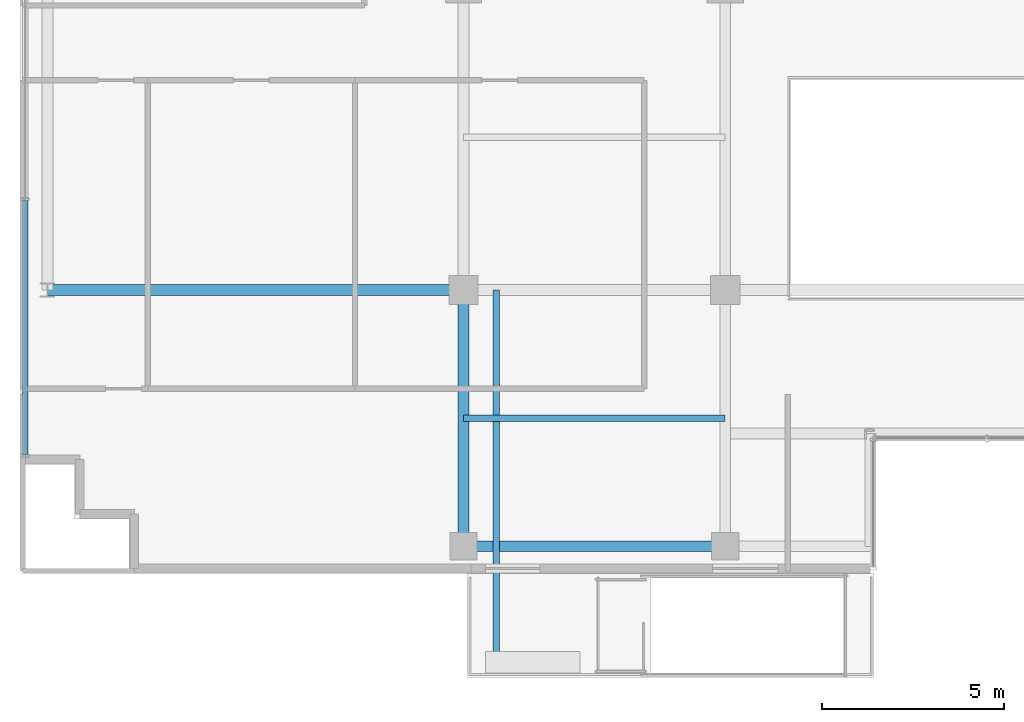
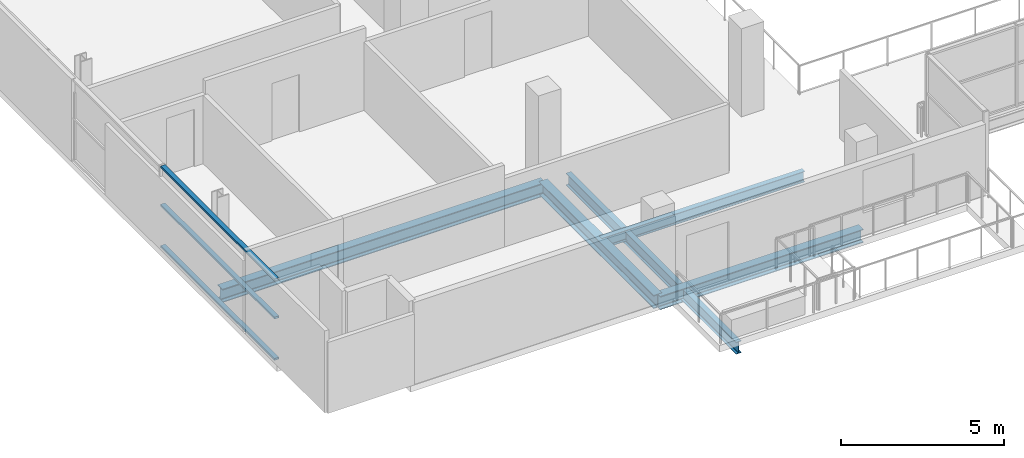
# One storey, part 3 of 23: 5 beams, 3 members, 1 element without a shape of its own.
"""IFC4 building model written with IfcOpenShell, lengths in metres."""

from ifc_helpers import new_model, si_unit, direction, frame, origin, origin_2d, place, context, subcontext, project, spatial, hollow_rectangle, i_section, extrude, source, transform, mapped, material, layer, layer_set, material_profile, profile_set, type_object, element, aggregate, save


model = new_model("IFC4")

# Units and contexts
model_context = context("Model", 3, precision=1e-05, world=origin(), true_north=direction((0.0, 1.0)))
body_context = subcontext(model_context, "Body", "Model", "MODEL_VIEW")
ifc_project = project(units=[si_unit("LENGTHUNIT", "METRE"), si_unit("AREAUNIT", "SQUARE_METRE"), si_unit("VOLUMEUNIT", "CUBIC_METRE"), si_unit("PLANEANGLEUNIT", "RADIAN"), si_unit("MASSUNIT", "GRAM", prefix="KILO")], contexts=[model_context])

# Site, building, storey
site_placement = place(None, origin())
site = spatial("IfcSite", under=ifc_project, at=site_placement, CompositionType="ELEMENT")
building_placement = place(site_placement, origin())
building = spatial("IfcBuilding", under=site, at=building_placement, Name="Zarnakvel Exchange Tower", CompositionType="ELEMENT")
storey_placement = place(building_placement, frame((0.0, 0.0, 149.5)))
storey = spatial("IfcBuildingStorey", under=building, at=storey_placement, Name="L41", CompositionType="ELEMENT", Elevation=149.5)

# Beams
ifc_material_1 = material(Name="Steel S355", Category="steel")
ifc_material_profile_1 = material_profile(ifc_material_1, i_section(OverallWidth=0.18994140625, OverallDepth=0.449951171875, WebThickness=0.009521484375, FlangeThickness=0.0146484375, FilletRadius=0.02099609375, at=origin_2d()))
ifc_profile_set_1 = profile_set([ifc_material_profile_1], Name="Steel S355")
beam_type_1 = type_object("IfcBeamType", Name="B-05", PredefinedType="JOIST", material=ifc_profile_set_1)
beam_1_placement = place(storey_placement, frame((-13.5, -9.60009765625, -0.47509765625), z_axis=(0.0, -1.0, 0.0), x_axis=(1.0, 0.0, 0.0)))
element("IfcBeam", 1, at=beam_1_placement, inside=storey, type_object=beam_type_1, Name="L41 Continuous Spiral Terrace Beam W", PredefinedType="JOIST", context=body_context, shape_type="SweptSolid", body=[
    extrude(i_section(OverallWidth=0.18994140625, OverallDepth=0.449951171875, WebThickness=0.009521484375, FlangeThickness=0.0146484375, FilletRadius=0.02099609375, at=origin_2d()), origin(), (0.0, 0.0, 1.0), 10.4599609375),
])
ifc_material_profile_2 = material_profile(ifc_material_1, i_section(OverallWidth=0.179931640625, OverallDepth=0.39990234375, WebThickness=0.008544921875, FlangeThickness=0.013427734375, FilletRadius=0.02099609375, at=origin_2d()))
ifc_profile_set_2 = profile_set([ifc_material_profile_2], Name="Steel S355")
beam_type_2 = type_object("IfcBeamType", Name="B-06", PredefinedType="JOIST", material=ifc_profile_set_2)
beam_2_placement = place(storey_placement, frame((-14.39990234375, -13.125, -0.425048828125), z_axis=(1.0, 0.0, 0.0), x_axis=(0.0, 1.0, 0.0)))
element("IfcBeam", 2, at=beam_2_placement, inside=storey, type_object=beam_type_2, Name="L41 Composite Floor Secondary Joist", PredefinedType="JOIST", context=body_context, shape_type="SweptSolid", body=[
    extrude(i_section(OverallWidth=0.179931640625, OverallDepth=0.39990234375, WebThickness=0.008544921875, FlangeThickness=0.013427734375, FilletRadius=0.02099609375, at=origin_2d()), origin(), (0.0, 0.0, 1.0), 7.199951171875),
])
ifc_material_profile_3 = material_profile(ifc_material_1, i_section(OverallWidth=0.300048828125, OverallDepth=0.5, WebThickness=0.014404296875, FlangeThickness=0.028076171875, FilletRadius=0.027099609375, at=origin_2d()))
ifc_profile_set_3 = profile_set([ifc_material_profile_3], Name="Steel S355")
beam_type_3 = type_object("IfcBeamType", Name="G-06", PredefinedType="BEAM", material=ifc_profile_set_3)
beam_3_placement = place(storey_placement, frame((-25.85009765625, -9.60009765625, -0.47509765625), z_axis=(1.0, 0.0, 0.0), x_axis=(0.0, 1.0, 0.0)))
element("IfcBeam", 3, at=beam_3_placement, inside=storey, type_object=beam_type_3, Name="L41 Tower E-W Frame Beam", PredefinedType="BEAM", context=body_context, shape_type="SweptSolid", body=[
    extrude(i_section(OverallWidth=0.300048828125, OverallDepth=0.5, WebThickness=0.014404296875, FlangeThickness=0.028076171875, FilletRadius=0.027099609375, at=origin_2d()), origin(), (0.0, 0.0, 1.0), 11.4501953125),
])
beam_4_placement = place(storey_placement, frame((-14.39990234375, -16.64990234375, -0.47509765625), z_axis=(0.0, 1.0, 0.0), x_axis=(-1.0, 0.0, 0.0)))
element("IfcBeam", 4, at=beam_4_placement, inside=storey, type_object=beam_type_3, Name="L41 Tower N-S Frame Beam", PredefinedType="BEAM", context=body_context, shape_type="SweptSolid", body=[
    extrude(i_section(OverallWidth=0.300048828125, OverallDepth=0.5, WebThickness=0.014404296875, FlangeThickness=0.028076171875, FilletRadius=0.027099609375, at=origin_2d()), origin(), (0.0, 0.0, 1.0), 7.0498046875),
])
ifc_material_profile_4 = material_profile(ifc_material_1, i_section(OverallWidth=0.300048828125, OverallDepth=0.5, WebThickness=0.014404296875, FlangeThickness=0.028076171875, FilletRadius=0.027099609375, at=origin_2d()))
ifc_profile_set_4 = profile_set([ifc_material_profile_4], Name="Steel S355")
beam_type_4 = type_object("IfcBeamType", Name="SP-02", PredefinedType="SPANDREL", material=ifc_profile_set_4)
beam_5_placement = place(storey_placement, frame((-14.39990234375, -16.64990234375, -0.47509765625), z_axis=(1.0, 0.0, 0.0), x_axis=(0.0, 1.0, 0.0)))
element("IfcBeam", 5, at=beam_5_placement, inside=storey, type_object=beam_type_4, Name="L41 Tower E-W Frame Beam", PredefinedType="SPANDREL", context=body_context, shape_type="SweptSolid", body=[
    extrude(i_section(OverallWidth=0.300048828125, OverallDepth=0.5, WebThickness=0.014404296875, FlangeThickness=0.028076171875, FilletRadius=0.027099609375, at=origin_2d()), origin(), (0.0, 0.0, 1.0), 7.199951171875),
])

# Curtain wall, members
ifc_material_2 = material(Name="Architectural Bronze Anodised Aluminium", Category="aluminium")
ifc_layer = layer(ifc_material_2, 0.199951171875)
ifc_layer_set = layer_set([ifc_layer], Name="Architectural Bronze Anodised Aluminium")
curtain_wall_type = type_object("IfcCurtainWallType", Name="CW-04", PredefinedType="NOTDEFINED", material=ifc_layer_set)
curtain_wall_placement = place(storey_placement, origin())
curtain_wall = element("IfcCurtainWall", 6, at=curtain_wall_placement, inside=storey, type_object=curtain_wall_type, Name="L41 Curtain Wall CW-L41-W1 (CW-04)", PredefinedType="NOTDEFINED")
ifc_material_profile_5 = material_profile(ifc_material_2, hollow_rectangle(XDim=0.159912109375, YDim=0.074951171875, WallThickness=0.00390625, at=origin_2d()))
ifc_profile_set_5 = profile_set([ifc_material_profile_5], Name="Architectural Bronze Anodised Aluminium")
member_type = type_object("IfcMemberType", Name="CWT-04", PredefinedType="USERDEFINED", material=ifc_profile_set_5)
shared_shape = source(origin(), body_context, "Body", "SweptSolid", [
    extrude(hollow_rectangle(XDim=0.159912109375, YDim=0.074951171875, WallThickness=0.00390625, at=origin_2d()), origin(), (0.0, 0.0, 1.0), 6.987548828125),
])
member_1_placement = place(storey_placement, frame((-26.4599609375, -14.125, 0.03759765625), z_axis=(0.0, 1.0, 0.0), x_axis=(-1.0, 0.0, 0.0)))
member_1 = element("IfcMember", 7, at=member_1_placement, type_object=member_type, Name="CW-04 transom 1.1", ObjectType="TRANSOM", PredefinedType="USERDEFINED", context=body_context, shape_type="MappedRepresentation", body=[
    mapped(shared_shape, transform((0.0, 0.0, 0.0), x_axis=(1.0, 0.0, 0.0), y_axis=(0.0, 1.0, 0.0), z_axis=(0.0, 0.0, 1.0), scale=1.0)),
])
member_2_placement = place(storey_placement, frame((-26.4599609375, -14.125, 1.588623046875), z_axis=(0.0, 1.0, 0.0), x_axis=(-1.0, 0.0, 0.0)))
member_2 = element("IfcMember", 8, at=member_2_placement, type_object=member_type, Name="CW-04 transom 1.2", ObjectType="TRANSOM", PredefinedType="USERDEFINED", context=body_context, shape_type="MappedRepresentation", body=[
    mapped(shared_shape, transform((0.0, 0.0, 0.0), x_axis=(1.0, 0.0, 0.0), y_axis=(0.0, 1.0, 0.0), z_axis=(0.0, 0.0, 1.0), scale=1.0)),
])
member_3_placement = place(storey_placement, frame((-26.4599609375, -14.125, 3.017578125), z_axis=(0.0, 1.0, 0.0), x_axis=(-1.0, 0.0, 0.0)))
member_3 = element("IfcMember", 9, at=member_3_placement, type_object=member_type, Name="CW-04 transom 1.3", ObjectType="TRANSOM", PredefinedType="USERDEFINED", context=body_context, shape_type="MappedRepresentation", body=[
    mapped(shared_shape, transform((0.0, 0.0, 0.0), x_axis=(1.0, 0.0, 0.0), y_axis=(0.0, 1.0, 0.0), z_axis=(0.0, 0.0, 1.0), scale=1.0)),
])
aggregate(curtain_wall, [member_1, member_2, member_3])

save(model, "model.ifc")
